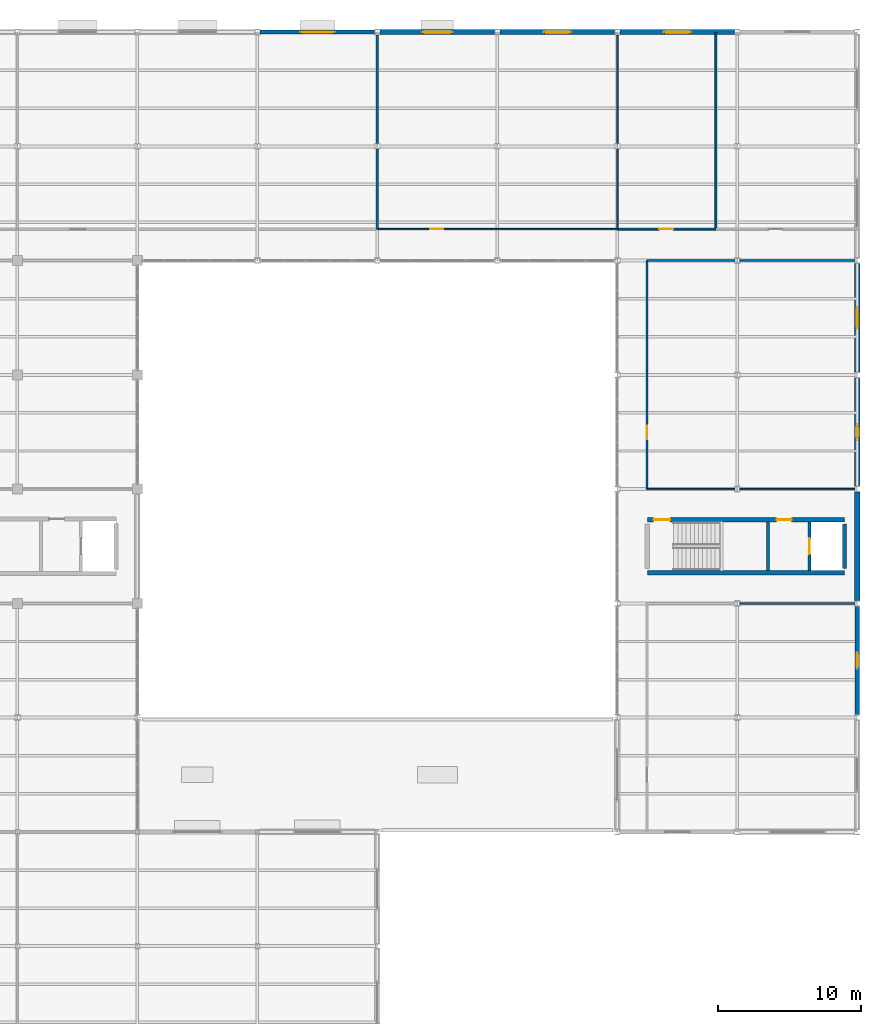
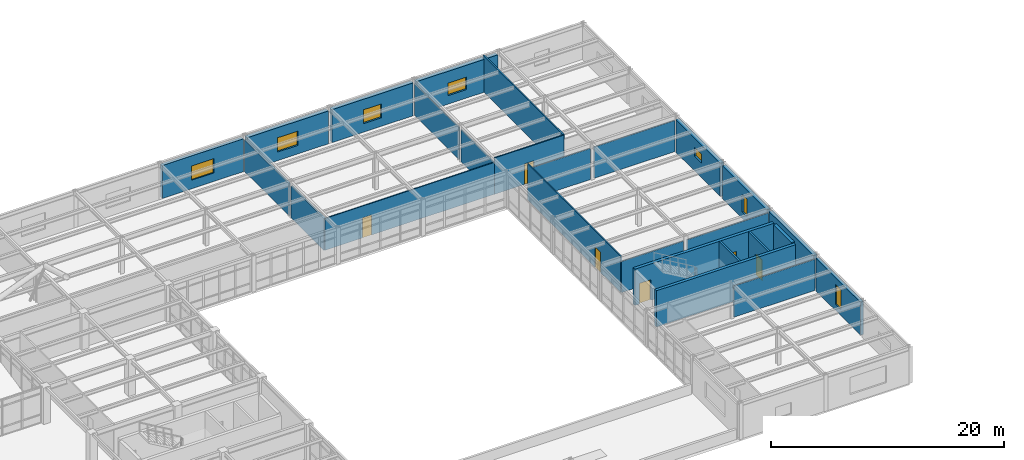
# One storey, part 78 of 138: 26 walls, 7 windows, 6 doors, 13 openings.
"""IFC4 building model written with IfcOpenShell, lengths in metres."""

import ifcopenshell
import ifcopenshell.guid

model = None  # the IFC model being written
_history = None  # IfcOwnerHistory: only IFC2X3 demands one
_inside = {}  # id of a spatial element -> (the spatial element, [elements in it])
_under = {}  # id of a project, library or spatial element -> (it, [spatial elements below it])
_declared = {}  # id of a project -> (the project, [libraries it declares])
_typed = {}  # id of a type object -> (the type object, [elements of that type])
_made_of = {}  # id of a material, layer set ... -> (it, [elements and type objects made of it])


def new_model(schema):
    """Start an empty IFC model of exactly this schema.

    Asked for "IFC4X3", IfcOpenShell would pick the latest addendum, in which some entities
    have other attributes; the version numbers below select the first issue.
    IFC2X3 requires an IfcOwnerHistory on every rooted entity: one is made here for all.
    """
    global model, _history
    if schema == "IFC4X3":
        model = ifcopenshell.file(schema_version=(4, 3, 0, 0))
    else:
        model = ifcopenshell.file(schema=schema)
    _inside.clear()
    _under.clear()
    _declared.clear()
    _typed.clear()
    _made_of.clear()
    _history = None
    if model.schema == "IFC2X3":
        org = make("IfcOrganization", Name="unknown")
        user = make(
            "IfcPersonAndOrganization",
            ThePerson=make("IfcPerson", FamilyName="unknown"),
            TheOrganization=org,
        )
        app = make(
            "IfcApplication",
            ApplicationDeveloper=org,
            Version="unknown",
            ApplicationFullName="unknown",
            ApplicationIdentifier="unknown",
        )
        _history = make(
            "IfcOwnerHistory",
            OwningUser=user,
            OwningApplication=app,
            ChangeAction="ADDED",
            CreationDate=0,
        )
    return model


def make(cls, **values):
    """One entity of the class cls with the attributes given. An attribute that is None is left unset."""
    return model.create_entity(
        cls, **{name: value for name, value in values.items() if value is not None}
    )


def rooted(cls, **values):
    """An entity with a GlobalId (a new one), such as an element, a storey or a relation."""
    return make(cls, GlobalId=ifcopenshell.guid.new(), OwnerHistory=_history, **values)


def si_unit(unit_type, name, prefix=None):
    """IfcSIUnit, for example si_unit("LENGTHUNIT", "METRE", prefix="MILLI")."""
    return make("IfcSIUnit", UnitType=unit_type, Prefix=prefix, Name=name)


def assignment(units):
    """IfcUnitAssignment: the units of a project."""
    return None if units is None else make("IfcUnitAssignment", Units=units)


def point(xyz):
    """IfcCartesianPoint."""
    return None if xyz is None else make("IfcCartesianPoint", Coordinates=xyz)


def direction(xyz):
    """IfcDirection."""
    return None if xyz is None else make("IfcDirection", DirectionRatios=xyz)


def frame(location, z_axis=None, x_axis=None):
    """IfcAxis2Placement3D, a coordinate frame: its origin and axes. An axis left out is left unset."""
    return make(
        "IfcAxis2Placement3D",
        Location=point(location),
        Axis=direction(z_axis),
        RefDirection=direction(x_axis),
    )


def frame_2d(location, x_axis=None):
    """IfcAxis2Placement2D, a coordinate frame in the plane: its origin and x axis."""
    return make(
        "IfcAxis2Placement2D", Location=point(location), RefDirection=direction(x_axis)
    )


def origin():
    """The frame at (0, 0, 0) with its axes left unset."""
    return frame((0.0, 0.0, 0.0))


def place(relative_to, where):
    """IfcLocalPlacement: puts the frame where relative to a parent placement (None: the world)."""
    return make(
        "IfcLocalPlacement", PlacementRelTo=relative_to, RelativePlacement=where
    )


def context(
    kind, dimensions, precision=None, world=None, true_north=None, identifier=None
):
    """IfcGeometricRepresentationContext, for example the 3D "Model" context."""
    return make(
        "IfcGeometricRepresentationContext",
        ContextIdentifier=identifier,
        ContextType=kind,
        CoordinateSpaceDimension=dimensions,
        Precision=precision,
        WorldCoordinateSystem=world,
        TrueNorth=true_north,
    )


def subcontext(parent, identifier, kind, view, scale=None):
    """IfcGeometricRepresentationSubContext, for example "Body" below "Model"."""
    return make(
        "IfcGeometricRepresentationSubContext",
        ContextIdentifier=identifier,
        ContextType=kind,
        ParentContext=parent,
        TargetScale=scale,
        TargetView=view,
    )


def project(units=None, contexts=None):
    """IfcProject with its units and contexts."""
    return rooted(
        "IfcProject",
        Name="project",
        RepresentationContexts=contexts,
        UnitsInContext=assignment(units),
    )


def spatial(cls, under=None, at=None, **own):
    """A site, building, storey or space (cls), placed at a placement, below another one or the project."""
    s = rooted(cls, ObjectPlacement=at, **own)
    if under is not None:
        _under.setdefault(under.id(), (under, []))[1].append(s)
    return s


def profile(cls, at=None, kind="AREA", **sizes):
    """A parametric profile (cls). Its sizes go by their IFC names, for example OverallWidth=200.0."""
    return make(cls, ProfileType=kind, Position=at, **sizes)


def rectangle(**sizes):
    """IfcRectangleProfileDef."""
    return profile("IfcRectangleProfileDef", **sizes)


def extrude(swept, where, along, depth):
    """IfcExtrudedAreaSolid: the profile swept, set in the frame where, extruded along a direction by depth."""
    return make(
        "IfcExtrudedAreaSolid",
        SweptArea=swept,
        Position=where,
        ExtrudedDirection=direction(along),
        Depth=depth,
    )


def shape(context_of_items, identifier, shape_type, items):
    """IfcShapeRepresentation: the items that make up one representation, for example the "Body"."""
    return make(
        "IfcShapeRepresentation",
        ContextOfItems=context_of_items,
        RepresentationIdentifier=identifier,
        RepresentationType=shape_type,
        Items=items,
    )


def material(Name=None, Category=None):
    """IfcMaterial."""
    return make("IfcMaterial", Name=Name, Category=Category)


def layer(
    of_material, thickness, ventilated=None, Name=None, Category=None, Priority=None
):
    """IfcMaterialLayer: one layer of a wall or slab, of a material (None: an air gap)."""
    return make(
        "IfcMaterialLayer",
        Material=of_material,
        LayerThickness=thickness,
        IsVentilated=ventilated,
        Name=Name,
        Category=Category,
        Priority=Priority,
    )


def layer_set(layers, Name=None):
    """IfcMaterialLayerSet."""
    return make("IfcMaterialLayerSet", MaterialLayers=layers, LayerSetName=Name)


def made_of(thing, what):
    """Note that an element or type object is made of a material, layer set ...; save() writes the relation."""
    if what is not None:
        _made_of.setdefault(what.id(), (what, []))[1].append(thing)
    return thing


def type_object(cls, material=None, **own):
    """A type object (cls), such as IfcWallType, which elements share."""
    return made_of(rooted(cls, **own), material)


def element(
    cls,
    number,
    at=None,
    inside=None,
    cuts=None,
    type_object=None,
    material=None,
    context=None,
    identifier="Body",
    shape_type=None,
    held_by="IfcProductDefinitionShape",
    body=None,
    shapes=None,
    **own,
):
    """One element of the class cls, such as IfcWall. Its Tag is "e" and its number.

    at: its placement. inside: the storey or other place that contains it. cuts: it is an
    opening in that element (IfcRelVoidsElement). A single representation is given by context,
    identifier, shape_type and body (its items); several are given by shapes. held_by: the class
    of the entity that holds the representations. save() writes the other relations.
    """
    e = rooted(cls, Tag="e%d" % number, ObjectPlacement=at, **own)
    if body is not None:
        shapes = [shape(context, identifier, shape_type, body)]
    if shapes is not None:
        e.Representation = make(held_by, Representations=shapes)
    if inside is not None:
        _inside.setdefault(inside.id(), (inside, []))[1].append(e)
    if cuts is not None:
        rooted(
            "IfcRelVoidsElement", RelatingBuildingElement=cuts, RelatedOpeningElement=e
        )
    if type_object is not None:
        _typed.setdefault(type_object.id(), (type_object, []))[1].append(e)
    return made_of(e, material)


def fill(opening, filler):
    """IfcRelFillsElement: the door or window that sits in an opening."""
    return rooted(
        "IfcRelFillsElement",
        RelatingOpeningElement=opening,
        RelatedBuildingElement=filler,
    )


def aggregate(whole, parts):
    """IfcRelAggregates: a whole, such as a stair, and the parts it consists of."""
    return rooted("IfcRelAggregates", RelatingObject=whole, RelatedObjects=parts)


def save(model, path):
    """Write the relations noted so far, then the file.

    IfcRelAggregates (storeys below a building ...), IfcRelContainedInSpatialStructure (elements
    in a storey), IfcRelDefinesByType, IfcRelAssociatesMaterial and IfcRelDeclares: one each for
    every whole, place, type object, material and project.
    """
    for whole, parts in _under.values():
        aggregate(whole, parts)
    for where, things in _inside.values():
        rooted(
            "IfcRelContainedInSpatialStructure",
            RelatedElements=things,
            RelatingStructure=where,
        )
    for kind, things in _typed.values():
        rooted("IfcRelDefinesByType", RelatedObjects=things, RelatingType=kind)
    for what, things in _made_of.values():
        rooted("IfcRelAssociatesMaterial", RelatedObjects=things, RelatingMaterial=what)
    for by, libraries in _declared.values():
        rooted("IfcRelDeclares", RelatingContext=by, RelatedDefinitions=libraries)
    model.write(path)


model = new_model("IFC4")

# Units and contexts
model_context = context("Model", 3, precision=1e-05, world=origin(), true_north=direction((0.0, 1.0)))
body_context = subcontext(model_context, "Body", "Model", "MODEL_VIEW")
ifc_project = project(units=[si_unit("LENGTHUNIT", "METRE"), si_unit("AREAUNIT", "SQUARE_METRE"), si_unit("VOLUMEUNIT", "CUBIC_METRE"), si_unit("PLANEANGLEUNIT", "RADIAN"), si_unit("MASSUNIT", "GRAM", prefix="KILO")], contexts=[model_context])

# Site, building, storey
site_placement = place(None, origin())
site = spatial("IfcSite", under=ifc_project, at=site_placement, CompositionType="ELEMENT")
building_placement = place(site_placement, origin())
building = spatial("IfcBuilding", under=site, at=building_placement, Name="Kranzveld Transit Interchange", CompositionType="ELEMENT")
storey_placement = place(building_placement, frame((0.0, 0.0, 5.43994140625)))
storey = spatial("IfcBuildingStorey", under=building, at=storey_placement, Name="L01", CompositionType="ELEMENT", Elevation=5.43994140625)

# Walls
ifc_material_1 = material(Name="Clay masonry unit wall, 20 MPa", Category="masonry")
ifc_layer_1 = layer(ifc_material_1, 0.1650390625)
ifc_layer_set_1 = layer_set([ifc_layer_1], Name="Clay masonry unit wall, 20 MPa")
wall_type_1 = type_object("IfcWallType", Name="Acoustic Double-Stud Partition 165", PredefinedType="PARTITIONING", material=ifc_layer_set_1)
wall_1_placement = place(storey_placement, frame((134.39990234375, 98.199951171875, 0.0), z_axis=(0.0, 0.0, 1.0), x_axis=(0.0, 1.0, 0.0)))
element("IfcWall", 1, at=wall_1_placement, inside=storey, type_object=wall_type_1, Name="L01 Partition IW-L01-L01V4N-E-121-0", PredefinedType="PARTITIONING", context=body_context, shape_type="SweptSolid", body=[
    extrude(rectangle(XDim=5.622802734375, YDim=0.1650390625, at=frame_2d((2.8115234375, 0.0))), origin(), (0.0, 0.0, 1.0), 3.336669921875),
])
wall_2_placement = place(storey_placement, frame((134.39990234375, 104.17724609375, 0.0), z_axis=(0.0, 0.0, 1.0), x_axis=(0.0, 1.0, 0.0)))
element("IfcWall", 2, at=wall_2_placement, inside=storey, type_object=wall_type_1, Name="L01 Partition IW-L01-L01V4N-E-121-1", PredefinedType="PARTITIONING", context=body_context, shape_type="SweptSolid", body=[
    extrude(rectangle(XDim=7.6455078125, YDim=0.1650390625, at=frame_2d((3.82275390625, 0.0))), origin(), (0.0, 0.0, 1.0), 3.336669921875),
])
ifc_material_2 = material(Name="Concrete C40/50", Category="concrete")
ifc_layer_2 = layer(ifc_material_2, 0.300048828125)
ifc_layer_set_2 = layer_set([ifc_layer_2], Name="Concrete C40/50")
wall_type_2 = type_object("IfcWallType", Name="Core Shear Wall RC 300 C40/50", PredefinedType="SHEAR", material=ifc_layer_set_2)
wall_3_placement = place(storey_placement, frame((153.300048828125, 74.139892578125, 0.0), z_axis=(0.0, 0.0, 1.0), x_axis=(1.0, 0.0, 0.0)))
element("IfcWall", 3, at=wall_3_placement, inside=storey, type_object=wall_type_2, Name="L01 Community East Core C4 Shear Wall S", PredefinedType="SHEAR", context=body_context, shape_type="SweptSolid", body=[
    extrude(rectangle(XDim=13.800048828125, YDim=0.300048828125, at=frame_2d((6.89990234375, 0.0))), origin(), (0.0, 0.0, 1.0), 3.800048828125),
])

# Wall, openings, doors
wall_4_placement = place(storey_placement, frame((153.300048828125, 77.860107421875, 0.0), z_axis=(0.0, 0.0, 1.0), x_axis=(1.0, 0.0, 0.0)))
wall_4 = element("IfcWall", 4, at=wall_4_placement, inside=storey, type_object=wall_type_2, Name="L01 Community East Core C4 Shear Wall N", PredefinedType="SHEAR", context=body_context, shape_type="SweptSolid", body=[
    extrude(rectangle(XDim=13.800048828125, YDim=0.300048828125, at=frame_2d((6.89990234375, 0.0))), origin(), (0.0, 0.0, 1.0), 3.800048828125),
])
opening_1_placement = place(wall_4_placement, frame((0.449951171875, 0.0, 0.0), z_axis=(0.0, 0.0, 1.0), x_axis=(1.0, 0.0, 0.0)))
opening_1 = element("IfcOpeningElement", 5, at=opening_1_placement, cuts=wall_4, Name="Opening D-ST-C4-L01", PredefinedType="OPENING", context=body_context, shape_type="SweptSolid", body=[
    extrude(rectangle(XDim=1.14990234375, YDim=2.14990234375, at=frame_2d((0.574951171875, 1.074951171875))), frame((0.0, 0.159912109375, 0.0), z_axis=(0.0, -1.0, 0.0), x_axis=(1.0, 0.0, 0.0)), (0.0, 0.0, 1.0), 0.320068359375),
])
opening_2_placement = place(wall_4_placement, frame((9.050048828125, 0.0, 0.0), z_axis=(0.0, 0.0, 1.0), x_axis=(1.0, 0.0, 0.0)))
opening_2 = element("IfcOpeningElement", 6, at=opening_2_placement, cuts=wall_4, Name="Opening D-LB-C4-L01", PredefinedType="OPENING", context=body_context, shape_type="SweptSolid", body=[
    extrude(rectangle(XDim=1.050048828125, YDim=2.14990234375, at=frame_2d((0.52490234375, 1.074951171875))), frame((0.0, 0.159912109375, 0.0), z_axis=(0.0, -1.0, 0.0), x_axis=(1.0, 0.0, 0.0)), (0.0, 0.0, 1.0), 0.320068359375),
])
ifc_material_3 = material(Name="Steel S355JR", Category="steel")
door_type_1 = type_object("IfcDoorType", Name="Lift Lobby Fire Door 1050x2150 FD120S", OperationType="NOTDEFINED", PredefinedType="DOOR", material=ifc_material_3)
door_1_placement = place(opening_2_placement, origin())
door_1 = element("IfcDoor", 7, at=door_1_placement, inside=storey, type_object=door_type_1, Name="L01 Community East Core C4 Lift Protected Lobby Door", OperationType="SINGLE_SWING_RIGHT", OverallHeight=2.14990234375, OverallWidth=1.050048828125, PredefinedType="DOOR", context=body_context, shape_type="SweptSolid", body=[
    extrude(rectangle(XDim=1.050048828125, YDim=2.14990234375, at=frame_2d((0.52490234375, 1.074951171875))), frame((0.0, 0.02490234375, 0.0), z_axis=(0.0, -1.0, 0.0), x_axis=(1.0, 0.0, 0.0)), (0.0, 0.0, 1.0), 0.050048828125),
])
fill(opening_2, door_1)
ifc_material_4 = material(Name="Steel S355JR", Category="steel")
door_type_2 = type_object("IfcDoorType", Name="Stair Core Fire Door 1150x2150 FD120S", OperationType="NOTDEFINED", PredefinedType="DOOR", material=ifc_material_4)
door_2_placement = place(opening_1_placement, origin())
door_2 = element("IfcDoor", 8, at=door_2_placement, inside=storey, type_object=door_type_2, Name="L01 ST-V4B Protected Stair Door", OperationType="SINGLE_SWING_RIGHT", OverallHeight=2.14990234375, OverallWidth=1.14990234375, PredefinedType="DOOR", context=body_context, shape_type="SweptSolid", body=[
    extrude(rectangle(XDim=1.14990234375, YDim=2.14990234375, at=frame_2d((0.574951171875, 1.074951171875))), frame((0.0, 0.02490234375, 0.0), z_axis=(0.0, -1.0, 0.0), x_axis=(1.0, 0.0, 0.0)), (0.0, 0.0, 1.0), 0.050048828125),
])
fill(opening_1, door_2)

# Wall
wall_5_placement = place(storey_placement, frame((167.10009765625, 74.43994140625, 0.0), z_axis=(0.0, 0.0, 1.0), x_axis=(0.0, 1.0, 0.0)))
element("IfcWall", 9, at=wall_5_placement, inside=storey, type_object=wall_type_2, Name="L01 Community East Core C4 Shear Wall E", PredefinedType="SHEAR", context=body_context, shape_type="SweptSolid", body=[
    extrude(rectangle(XDim=3.1201171875, YDim=0.300048828125, at=frame_2d((1.56005859375, 0.0))), origin(), (0.0, 0.0, 1.0), 3.800048828125),
])

# Wall, opening, window
ifc_material_5 = material(Name="Pretoria red-purple clinker clay face brick, 35 MPa", Category="masonry")
ifc_layer_3 = layer(ifc_material_5, 0.3798828125)
ifc_layer_set_3 = layer_set([ifc_layer_3], Name="Pretoria red-purple clinker clay face brick, 35 MPa")
wall_type_3 = type_object("IfcWallType", Name="Exterior Cavity Wall Red Clinker 380", PredefinedType="SOLIDWALL", material=ifc_layer_set_3)
wall_6_placement = place(storey_placement, frame((134.58740234375, 112.0, 0.0), z_axis=(0.0, 0.0, 1.0), x_axis=(1.0, 0.0, 0.0)))
wall_6 = element("IfcWall", 10, at=wall_6_placement, inside=storey, type_object=wall_type_3, Name="L01 Clinker Facade Wall 17/Q-18/Q", PredefinedType="SOLIDWALL", context=body_context, shape_type="SweptSolid", body=[
    extrude(rectangle(XDim=8.025390625, YDim=0.3798828125, at=frame_2d((4.0126953125, 0.0))), origin(), (0.0, 0.0, 1.0), 3.449951171875),
])
opening_3_placement = place(wall_6_placement, frame((3.0126953125, 0.0, 0.89990234375), z_axis=(0.0, 0.0, 1.0), x_axis=(1.0, 0.0, 0.0)))
opening_3 = element("IfcOpeningElement", 11, at=opening_3_placement, cuts=wall_6, Name="Opening W-10", PredefinedType="OPENING", context=body_context, shape_type="SweptSolid", body=[
    extrude(rectangle(XDim=2.0, YDim=1.5, at=frame_2d((1.0, 0.75))), frame((0.0, 0.199951171875, 0.0), z_axis=(0.0, -1.0, 0.0), x_axis=(1.0, 0.0, 0.0)), (0.0, 0.0, 1.0), 0.39990234375),
])
ifc_material_6 = material(Name="Solar-control double glazing", Category="glass")
window_type_1 = type_object("IfcWindowType", Name="Window Office Double 2000x1500", PartitioningType="DOUBLE_PANEL_VERTICAL", PredefinedType="WINDOW", material=ifc_material_6)
window_1_placement = place(opening_3_placement, origin())
window_1 = element("IfcWindow", 12, at=window_1_placement, inside=storey, type_object=window_type_1, Name="L01 Facade Window 17/Q", OverallHeight=1.5, OverallWidth=2.0, PartitioningType="DOUBLE_PANEL_VERTICAL", PredefinedType="WINDOW", context=body_context, shape_type="SweptSolid", body=[
    extrude(rectangle(XDim=2.0, YDim=1.5, at=frame_2d((1.0, 0.75))), frame((0.0, 0.030029296875, 0.0), z_axis=(0.0, -1.0, 0.0), x_axis=(1.0, 0.0, 0.0)), (0.0, 0.0, 1.0), 0.06005859375),
])
fill(opening_3, window_1)

wall_7_placement = place(storey_placement, frame((142.9873046875, 112.0, 0.0), z_axis=(0.0, 0.0, 1.0), x_axis=(1.0, 0.0, 0.0)))
wall_7 = element("IfcWall", 13, at=wall_7_placement, inside=storey, type_object=wall_type_3, Name="L01 Clinker Facade Wall 18/Q-19/Q", PredefinedType="SOLIDWALL", context=body_context, shape_type="SweptSolid", body=[
    extrude(rectangle(XDim=8.025390625, YDim=0.3798828125, at=frame_2d((4.0126953125, 0.0))), origin(), (0.0, 0.0, 1.0), 3.449951171875),
])
opening_4_placement = place(wall_7_placement, frame((3.11279296875, 0.0, 0.89990234375), z_axis=(0.0, 0.0, 1.0), x_axis=(1.0, 0.0, 0.0)))
opening_4 = element("IfcOpeningElement", 14, at=opening_4_placement, cuts=wall_7, Name="Opening W-11", PredefinedType="OPENING", context=body_context, shape_type="SweptSolid", body=[
    extrude(rectangle(XDim=1.800048828125, YDim=1.449951171875, at=frame_2d((0.89990234375, 0.72509765625))), frame((0.0, 0.199951171875, 0.0), z_axis=(0.0, -1.0, 0.0), x_axis=(1.0, 0.0, 0.0)), (0.0, 0.0, 1.0), 0.39990234375),
])
ifc_material_7 = material(Name="Solar-control double glazing", Category="glass")
window_type_2 = type_object("IfcWindowType", Name="Window Office Double 1800x1450", PartitioningType="DOUBLE_PANEL_VERTICAL", PredefinedType="WINDOW", material=ifc_material_7)
window_2_placement = place(opening_4_placement, origin())
window_2 = element("IfcWindow", 15, at=window_2_placement, inside=storey, type_object=window_type_2, Name="L01 Facade Window 18/Q", OverallHeight=1.449951171875, OverallWidth=1.800048828125, PartitioningType="DOUBLE_PANEL_VERTICAL", PredefinedType="WINDOW", context=body_context, shape_type="SweptSolid", body=[
    extrude(rectangle(XDim=1.800048828125, YDim=1.449951171875, at=frame_2d((0.89990234375, 0.72509765625))), frame((0.0, 0.030029296875, 0.0), z_axis=(0.0, -1.0, 0.0), x_axis=(1.0, 0.0, 0.0)), (0.0, 0.0, 1.0), 0.06005859375),
])
fill(opening_4, window_2)

wall_8_placement = place(storey_placement, frame((151.38720703125, 112.0, 0.0), z_axis=(0.0, 0.0, 1.0), x_axis=(1.0, 0.0, 0.0)))
wall_8 = element("IfcWall", 16, at=wall_8_placement, inside=storey, type_object=wall_type_3, Name="L01 Clinker Facade Wall 19/Q-20/Q", PredefinedType="SOLIDWALL", context=body_context, shape_type="SweptSolid", body=[
    extrude(rectangle(XDim=8.025390625, YDim=0.3798828125, at=frame_2d((4.0126953125, 0.0))), origin(), (0.0, 0.0, 1.0), 3.449951171875),
])
opening_5_placement = place(wall_8_placement, frame((3.11279296875, 0.0, 0.89990234375), z_axis=(0.0, 0.0, 1.0), x_axis=(1.0, 0.0, 0.0)))
opening_5 = element("IfcOpeningElement", 17, at=opening_5_placement, cuts=wall_8, Name="Opening W-12", PredefinedType="OPENING", context=body_context, shape_type="SweptSolid", body=[
    extrude(rectangle(XDim=1.800048828125, YDim=1.300048828125, at=frame_2d((0.89990234375, 0.64990234375))), frame((0.0, 0.199951171875, 0.0), z_axis=(0.0, -1.0, 0.0), x_axis=(1.0, 0.0, 0.0)), (0.0, 0.0, 1.0), 0.39990234375),
])
ifc_material_8 = material(Name="Solar-control double glazing", Category="glass")
window_type_3 = type_object("IfcWindowType", Name="Window Studio Double 1800x1300", PartitioningType="DOUBLE_PANEL_VERTICAL", PredefinedType="WINDOW", material=ifc_material_8)
window_3_placement = place(opening_5_placement, origin())
window_3 = element("IfcWindow", 18, at=window_3_placement, inside=storey, type_object=window_type_3, Name="L01 Facade Window 19/Q", OverallHeight=1.300048828125, OverallWidth=1.800048828125, PartitioningType="DOUBLE_PANEL_VERTICAL", PredefinedType="WINDOW", context=body_context, shape_type="SweptSolid", body=[
    extrude(rectangle(XDim=1.800048828125, YDim=1.300048828125, at=frame_2d((0.89990234375, 0.64990234375))), frame((0.0, 0.030029296875, 0.0), z_axis=(0.0, -1.0, 0.0), x_axis=(1.0, 0.0, 0.0)), (0.0, 0.0, 1.0), 0.06005859375),
])
fill(opening_5, window_3)

# Wall
wall_9_placement = place(storey_placement, frame((168.0, 72.187255859375, 0.0), z_axis=(0.0, 0.0, 1.0), x_axis=(0.0, 1.0, 0.0)))
element("IfcWall", 19, at=wall_9_placement, inside=storey, type_object=wall_type_3, Name="L01 Clinker Facade Wall 21/K-21/L", PredefinedType="SOLIDWALL", context=body_context, shape_type="SweptSolid", body=[
    extrude(rectangle(XDim=7.62548828125, YDim=0.3798828125, at=frame_2d((3.812744140625, 0.0))), origin(), (0.0, 0.0, 1.0), 3.5),
])

# Wall, opening, window
wall_10_placement = place(storey_placement, frame((168.0, 80.187255859375, 0.0), z_axis=(0.0, 0.0, 1.0), x_axis=(0.0, 1.0, 0.0)))
wall_10 = element("IfcWall", 20, at=wall_10_placement, inside=storey, type_object=wall_type_3, Name="L01 Clinker Facade Wall 21/L-21/M", PredefinedType="SOLIDWALL", context=body_context, shape_type="SweptSolid", body=[
    extrude(rectangle(XDim=7.62548828125, YDim=0.3798828125, at=frame_2d((3.812744140625, 0.0))), origin(), (0.0, 0.0, 1.0), 3.442138671875),
])
opening_6_placement = place(wall_10_placement, frame((3.41259765625, 0.0, 0.64990234375), z_axis=(0.0, 0.0, 1.0), x_axis=(1.0, 0.0, 0.0)))
opening_6 = element("IfcOpeningElement", 21, at=opening_6_placement, cuts=wall_10, Name="Opening W-18", PredefinedType="OPENING", context=body_context, shape_type="SweptSolid", body=[
    extrude(rectangle(XDim=0.800048828125, YDim=1.85009765625, at=frame_2d((0.39990234375, 0.925048828125))), frame((0.0, 0.199951171875, 0.0), z_axis=(0.0, -1.0, 0.0), x_axis=(1.0, 0.0, 0.0)), (0.0, 0.0, 1.0), 0.39990234375),
])
ifc_material_9 = material(Name="Solar-control double glazing", Category="glass")
window_type_4 = type_object("IfcWindowType", Name="Window Ladder Slot 800x1850", PartitioningType="SINGLE_PANEL", PredefinedType="WINDOW", material=ifc_material_9)
window_4_placement = place(opening_6_placement, origin())
window_4 = element("IfcWindow", 22, at=window_4_placement, inside=storey, type_object=window_type_4, Name="L01 Facade Window 21/L", OverallHeight=1.85009765625, OverallWidth=0.800048828125, PartitioningType="SINGLE_PANEL", PredefinedType="WINDOW", context=body_context, shape_type="SweptSolid", body=[
    extrude(rectangle(XDim=0.800048828125, YDim=1.85009765625, at=frame_2d((0.39990234375, 0.925048828125))), frame((0.0, 0.030029296875, 0.0), z_axis=(0.0, -1.0, 0.0), x_axis=(1.0, 0.0, 0.0)), (0.0, 0.0, 1.0), 0.06005859375),
])
fill(opening_6, window_4)

wall_11_placement = place(storey_placement, frame((168.0, 88.187255859375, 0.0), z_axis=(0.0, 0.0, 1.0), x_axis=(0.0, 1.0, 0.0)))
wall_11 = element("IfcWall", 23, at=wall_11_placement, inside=storey, type_object=wall_type_3, Name="L01 Clinker Facade Wall 21/M-21/N", PredefinedType="SOLIDWALL", context=body_context, shape_type="SweptSolid", body=[
    extrude(rectangle(XDim=7.62548828125, YDim=0.3798828125, at=frame_2d((3.812744140625, 0.0))), origin(), (0.0, 0.0, 1.0), 3.442138671875),
])
opening_7_placement = place(wall_11_placement, frame((3.212646484375, 0.0, 1.550048828125), z_axis=(0.0, 0.0, 1.0), x_axis=(1.0, 0.0, 0.0)))
opening_7 = element("IfcOpeningElement", 24, at=opening_7_placement, cuts=wall_11, Name="Opening W-19", PredefinedType="OPENING", context=body_context, shape_type="SweptSolid", body=[
    extrude(rectangle(XDim=1.199951171875, YDim=0.949951171875, at=frame_2d((0.60009765625, 0.47509765625))), frame((0.0, 0.199951171875, 0.0), z_axis=(0.0, -1.0, 0.0), x_axis=(1.0, 0.0, 0.0)), (0.0, 0.0, 1.0), 0.39990234375),
])
ifc_material_10 = material(Name="Solar-control double glazing", Category="glass")
window_type_5 = type_object("IfcWindowType", Name="Window Sanitary Frosted 1200x950", PartitioningType="SINGLE_PANEL", PredefinedType="WINDOW", material=ifc_material_10)
window_5_placement = place(opening_7_placement, origin())
window_5 = element("IfcWindow", 25, at=window_5_placement, inside=storey, type_object=window_type_5, Name="L01 Facade Window 21/M", OverallHeight=0.949951171875, OverallWidth=1.199951171875, PartitioningType="SINGLE_PANEL", PredefinedType="WINDOW", context=body_context, shape_type="SweptSolid", body=[
    extrude(rectangle(XDim=1.199951171875, YDim=0.949951171875, at=frame_2d((0.60009765625, 0.47509765625))), frame((0.0, 0.030029296875, 0.0), z_axis=(0.0, -1.0, 0.0), x_axis=(1.0, 0.0, 0.0)), (0.0, 0.0, 1.0), 0.06005859375),
])
fill(opening_7, window_5)

ifc_material_11 = material(Name="Ochre Pretoria sandstone cladding, 45 MPa", Category="masonry")
ifc_layer_4 = layer(ifc_material_11, 0.300048828125)
ifc_layer_set_4 = layer_set([ifc_layer_4], Name="Ochre Pretoria sandstone cladding, 45 MPa")
wall_type_4 = type_object("IfcWallType", Name="Exterior Sandstone Spandrel Wall 300", PredefinedType="SOLIDWALL", material=ifc_layer_set_4)
wall_12_placement = place(storey_placement, frame((126.187255859375, 112.0, 0.0), z_axis=(0.0, 0.0, 1.0), x_axis=(1.0, 0.0, 0.0)))
wall_12 = element("IfcWall", 26, at=wall_12_placement, inside=storey, type_object=wall_type_4, Name="L01 Clinker Facade Wall 16/Q-17/Q", PredefinedType="SOLIDWALL", context=body_context, shape_type="SweptSolid", body=[
    extrude(rectangle(XDim=8.025390625, YDim=0.300048828125, at=frame_2d((4.0126953125, 0.0))), origin(), (0.0, 0.0, 1.0), 3.449951171875),
])
opening_8_placement = place(wall_12_placement, frame((2.91259765625, 0.0, 0.89990234375), z_axis=(0.0, 0.0, 1.0), x_axis=(1.0, 0.0, 0.0)))
opening_8 = element("IfcOpeningElement", 27, at=opening_8_placement, cuts=wall_12, Name="Opening W-09", PredefinedType="OPENING", context=body_context, shape_type="SweptSolid", body=[
    extrude(rectangle(XDim=2.199951171875, YDim=1.5, at=frame_2d((1.10009765625, 0.75))), frame((0.0, 0.159912109375, 0.0), z_axis=(0.0, -1.0, 0.0), x_axis=(1.0, 0.0, 0.0)), (0.0, 0.0, 1.0), 0.320068359375),
])
ifc_material_12 = material(Name="Solar-control double glazing", Category="glass")
window_type_6 = type_object("IfcWindowType", Name="Window Office Double 2200x1500", PartitioningType="DOUBLE_PANEL_VERTICAL", PredefinedType="WINDOW", material=ifc_material_12)
window_6_placement = place(opening_8_placement, origin())
window_6 = element("IfcWindow", 28, at=window_6_placement, inside=storey, type_object=window_type_6, Name="L01 Facade Window 16/Q", OverallHeight=1.5, OverallWidth=2.199951171875, PartitioningType="DOUBLE_PANEL_VERTICAL", PredefinedType="WINDOW", context=body_context, shape_type="SweptSolid", body=[
    extrude(rectangle(XDim=2.199951171875, YDim=1.5, at=frame_2d((1.10009765625, 0.75))), frame((0.0, 0.030029296875, 0.0), z_axis=(0.0, -1.0, 0.0), x_axis=(1.0, 0.0, 0.0)), (0.0, 0.0, 1.0), 0.06005859375),
])
fill(opening_8, window_6)

wall_13_placement = place(storey_placement, frame((168.0, 64.187255859375, 0.0), z_axis=(0.0, 0.0, 1.0), x_axis=(0.0, 1.0, 0.0)))
wall_13 = element("IfcWall", 29, at=wall_13_placement, inside=storey, type_object=wall_type_4, Name="L01 Clinker Facade Wall 21/J-21/K", PredefinedType="SOLIDWALL", context=body_context, shape_type="SweptSolid", body=[
    extrude(rectangle(XDim=7.62548828125, YDim=0.300048828125, at=frame_2d((3.812744140625, 0.0))), origin(), (0.0, 0.0, 1.0), 3.442138671875),
])
opening_9_placement = place(wall_13_placement, frame((3.337646484375, 0.0, 0.64990234375), z_axis=(0.0, 0.0, 1.0), x_axis=(1.0, 0.0, 0.0)))
opening_9 = element("IfcOpeningElement", 30, at=opening_9_placement, cuts=wall_13, Name="Opening W-17", PredefinedType="OPENING", context=body_context, shape_type="SweptSolid", body=[
    extrude(rectangle(XDim=0.949951171875, YDim=2.10009765625, at=frame_2d((0.47509765625, 1.050048828125))), frame((0.0, 0.159912109375, 0.0), z_axis=(0.0, -1.0, 0.0), x_axis=(1.0, 0.0, 0.0)), (0.0, 0.0, 1.0), 0.320068359375),
])
ifc_material_13 = material(Name="Solar-control double glazing", Category="glass")
window_type_7 = type_object("IfcWindowType", Name="Window Ladder Slot 950x2100", PartitioningType="SINGLE_PANEL", PredefinedType="WINDOW", material=ifc_material_13)
window_7_placement = place(opening_9_placement, origin())
window_7 = element("IfcWindow", 31, at=window_7_placement, inside=storey, type_object=window_type_7, Name="L01 Facade Window 21/J", OverallHeight=2.10009765625, OverallWidth=0.949951171875, PartitioningType="SINGLE_PANEL", PredefinedType="WINDOW", context=body_context, shape_type="SweptSolid", body=[
    extrude(rectangle(XDim=0.949951171875, YDim=2.10009765625, at=frame_2d((0.47509765625, 1.050048828125))), frame((0.0, 0.030029296875, 0.0), z_axis=(0.0, -1.0, 0.0), x_axis=(1.0, 0.0, 0.0)), (0.0, 0.0, 1.0), 0.06005859375),
])
fill(opening_9, window_7)

# Wall, opening, door
ifc_material_14 = material(Name="Clay masonry unit wall, 20 MPa", Category="masonry")
ifc_layer_5 = layer(ifc_material_14, 0.125)
ifc_layer_set_5 = layer_set([ifc_layer_5], Name="Clay masonry unit wall, 20 MPa")
wall_type_5 = type_object("IfcWallType", Name="Internal Blockwork Partition 125", PredefinedType="PARTITIONING", material=ifc_layer_set_5)
wall_14_placement = place(storey_placement, frame((151.199951171875, 98.199951171875, 0.0), z_axis=(0.0, 0.0, 1.0), x_axis=(1.0, 0.0, 0.0)))
wall_14 = element("IfcWall", 32, at=wall_14_placement, inside=storey, type_object=wall_type_5, Name="L01 Partition IW-L01-L01V4NE-FRT-123-0", PredefinedType="PARTITIONING", context=body_context, shape_type="SweptSolid", body=[
    extrude(rectangle(XDim=6.900146484375, YDim=0.125, at=frame_2d((3.4501953125, 0.0))), origin(), (0.0, 0.0, 1.0), 3.800048828125),
])
opening_10_placement = place(wall_14_placement, frame((2.949951171875, 0.0, 0.0), z_axis=(0.0, 0.0, 1.0), x_axis=(1.0, 0.0, 0.0)))
opening_10 = element("IfcOpeningElement", 33, at=opening_10_placement, cuts=wall_14, Name="Opening D-123", PredefinedType="OPENING", context=body_context, shape_type="SweptSolid", body=[
    extrude(rectangle(XDim=0.949951171875, YDim=2.14990234375, at=frame_2d((0.47509765625, 1.074951171875))), frame((0.0, 0.072509765625, 0.0), z_axis=(0.0, -1.0, 0.0), x_axis=(1.0, 0.0, 0.0)), (0.0, 0.0, 1.0), 0.14501953125),
])
ifc_material_15 = material(Name="Bronze-anodised thermally broken aluminium", Category="aluminium")
door_type_3 = type_object("IfcDoorType", Name="Internal Office Door 950x2150", OperationType="NOTDEFINED", PredefinedType="DOOR", material=ifc_material_15)
door_3_placement = place(opening_10_placement, origin())
door_3 = element("IfcDoor", 34, at=door_3_placement, inside=storey, type_object=door_type_3, Name="L01 Interior Door D-123", OperationType="SINGLE_SWING_LEFT", OverallHeight=2.14990234375, OverallWidth=0.949951171875, PredefinedType="DOOR", context=body_context, shape_type="SweptSolid", body=[
    extrude(rectangle(XDim=0.949951171875, YDim=2.14990234375, at=frame_2d((0.47509765625, 1.074951171875))), frame((0.0, 0.02490234375, 0.0), z_axis=(0.0, -1.0, 0.0), x_axis=(1.0, 0.0, 0.0)), (0.0, 0.0, 1.0), 0.050048828125),
])
fill(opening_10, door_3)

# Walls
wall_15_placement = place(storey_placement, frame((158.10009765625, 98.199951171875, 0.0), z_axis=(0.0, 0.0, 1.0), x_axis=(0.0, 1.0, 0.0)))
element("IfcWall", 35, at=wall_15_placement, inside=storey, type_object=wall_type_5, Name="L01 Partition IW-L01-L01V4NE-MID-0", PredefinedType="PARTITIONING", context=body_context, shape_type="SweptSolid", body=[
    extrude(rectangle(XDim=13.760009765625, YDim=0.125, at=frame_2d((6.8798828125, 0.0))), origin(), (0.0, 0.0, 1.0), 3.800048828125),
])
wall_16_placement = place(storey_placement, frame((159.77734375, 72.0, 0.0), z_axis=(0.0, 0.0, 1.0), x_axis=(1.0, 0.0, 0.0)))
element("IfcWall", 36, at=wall_16_placement, inside=storey, type_object=wall_type_5, Name="L01 Partition IW-L01-L01V4E-N-133-1", PredefinedType="PARTITIONING", context=body_context, shape_type="SweptSolid", body=[
    extrude(rectangle(XDim=8.04541015625, YDim=0.125, at=frame_2d((4.022705078125, 0.0))), origin(), (0.0, 0.0, 1.0), 3.260498046875),
])

# Wall, opening, door
ifc_material_16 = material(Name="Clay masonry unit wall, 20 MPa", Category="masonry")
ifc_layer_6 = layer(ifc_material_16, 0.114990234375)
ifc_layer_set_6 = layer_set([ifc_layer_6], Name="Clay masonry unit wall, 20 MPa")
wall_type_6 = type_object("IfcWallType", Name="Internal Masonry Partition 115", PredefinedType="PARTITIONING", material=ifc_layer_set_6)
wall_17_placement = place(storey_placement, frame((153.280029296875, 80.0, 0.0), z_axis=(0.0, 0.0, 1.0), x_axis=(0.0, 1.0, 0.0)))
wall_17 = element("IfcWall", 37, at=wall_17_placement, inside=storey, type_object=wall_type_6, Name="L01 Partition IW-L01-L01V4E-FRT-134-0", PredefinedType="PARTITIONING", context=body_context, shape_type="SweptSolid", body=[
    extrude(rectangle(XDim=16.0, YDim=0.114990234375, at=frame_2d((8.0, 0.0))), origin(), (0.0, 0.0, 1.0), 3.800048828125),
])
opening_11_placement = place(wall_17_placement, frame((4.419921875, 0.0, 0.0), z_axis=(0.0, 0.0, 1.0), x_axis=(-1.0, 0.0, 0.0)))
opening_11 = element("IfcOpeningElement", 38, at=opening_11_placement, cuts=wall_17, Name="Opening D-134", PredefinedType="OPENING", context=body_context, shape_type="SweptSolid", body=[
    extrude(rectangle(XDim=0.919921875, YDim=2.1201171875, at=frame_2d((0.4599609375, 1.06005859375))), frame((0.0, 0.0673828125, 0.0), z_axis=(0.0, -1.0, 0.0), x_axis=(1.0, 0.0, 0.0)), (0.0, 0.0, 1.0), 0.135009765625),
])
ifc_material_17 = material(Name="Bronze-anodised thermally broken aluminium", Category="aluminium")
door_type_4 = type_object("IfcDoorType", Name="Consulting Room Door 920x2120", OperationType="NOTDEFINED", PredefinedType="DOOR", material=ifc_material_17)
door_4_placement = place(opening_11_placement, origin())
door_4 = element("IfcDoor", 39, at=door_4_placement, inside=storey, type_object=door_type_4, Name="L01 Interior Door D-134", OperationType="SINGLE_SWING_RIGHT", OverallHeight=2.1201171875, OverallWidth=0.919921875, PredefinedType="DOOR", context=body_context, shape_type="SweptSolid", body=[
    extrude(rectangle(XDim=0.919921875, YDim=2.1201171875, at=frame_2d((0.4599609375, 1.06005859375))), frame((0.0, 0.02490234375, 0.0), z_axis=(0.0, -1.0, 0.0), x_axis=(1.0, 0.0, 0.0)), (0.0, 0.0, 1.0), 0.050048828125),
])
fill(opening_11, door_4)

# Walls
wall_18_placement = place(storey_placement, frame((153.280029296875, 80.0, 0.0), z_axis=(0.0, 0.0, 1.0), x_axis=(1.0, 0.0, 0.0)))
element("IfcWall", 40, at=wall_18_placement, inside=storey, type_object=wall_type_6, Name="L01 Partition IW-L01-L01V4E-S-134-0", PredefinedType="PARTITIONING", context=body_context, shape_type="SweptSolid", body=[
    extrude(rectangle(XDim=6.142578125, YDim=0.114990234375, at=frame_2d((3.0712890625, 0.0))), origin(), (0.0, 0.0, 1.0), 3.260498046875),
])
wall_19_placement = place(storey_placement, frame((159.77734375, 80.0, 0.0), z_axis=(0.0, 0.0, 1.0), x_axis=(1.0, 0.0, 0.0)))
element("IfcWall", 41, at=wall_19_placement, inside=storey, type_object=wall_type_6, Name="L01 Partition IW-L01-L01V4E-S-134-1", PredefinedType="PARTITIONING", context=body_context, shape_type="SweptSolid", body=[
    extrude(rectangle(XDim=8.04541015625, YDim=0.114990234375, at=frame_2d((4.022705078125, 0.0))), origin(), (0.0, 0.0, 1.0), 3.260498046875),
])
wall_20_placement = place(storey_placement, frame((153.280029296875, 96.0, 0.0), z_axis=(0.0, 0.0, 1.0), x_axis=(1.0, 0.0, 0.0)))
element("IfcWall", 42, at=wall_20_placement, inside=storey, type_object=wall_type_6, Name="L01 Partition IW-L01-L01V4E-N-134-0", PredefinedType="PARTITIONING", context=body_context, shape_type="SweptSolid", body=[
    extrude(rectangle(XDim=6.142578125, YDim=0.114990234375, at=frame_2d((3.0712890625, 0.0))), origin(), (0.0, 0.0, 1.0), 3.260498046875),
])
wall_21_placement = place(storey_placement, frame((159.77734375, 96.0, 0.0), z_axis=(0.0, 0.0, 1.0), x_axis=(1.0, 0.0, 0.0)))
element("IfcWall", 43, at=wall_21_placement, inside=storey, type_object=wall_type_6, Name="L01 Partition IW-L01-L01V4E-N-134-1", PredefinedType="PARTITIONING", context=body_context, shape_type="SweptSolid", body=[
    extrude(rectangle(XDim=8.04541015625, YDim=0.114990234375, at=frame_2d((4.022705078125, 0.0))), origin(), (0.0, 0.0, 1.0), 3.260498046875),
])
ifc_material_18 = material(Name="Concrete C40/50", Category="concrete")
ifc_layer_7 = layer(ifc_material_18, 0.199951171875)
ifc_layer_set_7 = layer_set([ifc_layer_7], Name="Concrete C40/50")
wall_type_7 = type_object("IfcWallType", Name="Lift Shaft Enclosure Wall RC 200 EI120", PredefinedType="SHEAR", material=ifc_layer_set_7)
wall_22_placement = place(storey_placement, frame((161.75, 74.2900390625, 0.0), z_axis=(0.0, 0.0, 1.0), x_axis=(0.0, 1.0, 0.0)))
element("IfcWall", 44, at=wall_22_placement, inside=storey, type_object=wall_type_7, Name="L01 Community East Core C4 Stair-Lobby Dividing Wall", PredefinedType="SHEAR", context=body_context, shape_type="SweptSolid", body=[
    extrude(rectangle(XDim=3.419921875, YDim=0.199951171875, at=frame_2d((1.7099609375, 0.0))), origin(), (0.0, 0.0, 1.0), 3.800048828125),
])

# Wall, opening, door
wall_23_placement = place(storey_placement, frame((164.64990234375, 74.2900390625, 0.0), z_axis=(0.0, 0.0, 1.0), x_axis=(0.0, 1.0, 0.0)))
wall_23 = element("IfcWall", 45, at=wall_23_placement, inside=storey, type_object=wall_type_7, Name="L01 LF-V4B Shaft Front Wall", PredefinedType="SHEAR", context=body_context, shape_type="SweptSolid", body=[
    extrude(rectangle(XDim=3.419921875, YDim=0.199951171875, at=frame_2d((1.7099609375, 0.0))), origin(), (0.0, 0.0, 1.0), 3.800048828125),
])
opening_12_placement = place(wall_23_placement, frame((1.159912109375, 0.0, 0.0), z_axis=(0.0, 0.0, 1.0), x_axis=(1.0, 0.0, 0.0)))
opening_12 = element("IfcOpeningElement", 46, at=opening_12_placement, cuts=wall_23, Name="Opening LD-LF-V4B-L01", PredefinedType="OPENING", context=body_context, shape_type="SweptSolid", body=[
    extrude(rectangle(XDim=1.10009765625, YDim=2.14990234375, at=frame_2d((0.550048828125, 1.074951171875))), frame((0.0, 0.10986328125, 0.0), z_axis=(0.0, -1.0, 0.0), x_axis=(1.0, 0.0, 0.0)), (0.0, 0.0, 1.0), 0.219970703125),
])
ifc_material_19 = material(Name="Steel S355JR", Category="steel")
door_type_5 = type_object("IfcDoorType", Name="Lift Landing Sliding Door 1100x2150 FD120S", OperationType="NOTDEFINED", PredefinedType="DOOR", material=ifc_material_19)
door_5_placement = place(opening_12_placement, origin())
door_5 = element("IfcDoor", 47, at=door_5_placement, inside=storey, type_object=door_type_5, Name="L01 LF-V4B Sliding Landing Door", OperationType="DOUBLE_DOOR_SLIDING", OverallHeight=2.14990234375, OverallWidth=1.10009765625, PredefinedType="DOOR", context=body_context, shape_type="SweptSolid", body=[
    extrude(rectangle(XDim=1.10009765625, YDim=2.14990234375, at=frame_2d((0.550048828125, 1.074951171875))), frame((0.0, 0.02490234375, 0.0), z_axis=(0.0, -1.0, 0.0), x_axis=(1.0, 0.0, 0.0)), (0.0, 0.0, 1.0), 0.050048828125),
])
fill(opening_12, door_5)

ifc_material_20 = material(Name="Clay masonry unit wall, 20 MPa", Category="masonry")
ifc_layer_8 = layer(ifc_material_20, 0.10009765625)
ifc_layer_set_8 = layer_set([ifc_layer_8], Name="Clay masonry unit wall, 20 MPa")
wall_type_8 = type_object("IfcWallType", Name="Lightweight Drywall Partition 100", PredefinedType="PARTITIONING", material=ifc_layer_set_8)
wall_24_placement = place(storey_placement, frame((134.39990234375, 98.199951171875, 0.0), z_axis=(0.0, 0.0, 1.0), x_axis=(1.0, 0.0, 0.0)))
wall_24 = element("IfcWall", 48, at=wall_24_placement, inside=storey, type_object=wall_type_8, Name="L01 Partition IW-L01-L01V4N-FRT-122-0", PredefinedType="PARTITIONING", context=body_context, shape_type="SweptSolid", body=[
    extrude(rectangle(XDim=16.800048828125, YDim=0.10009765625, at=frame_2d((8.39990234375, 0.0))), origin(), (0.0, 0.0, 1.0), 3.336669921875),
])
opening_13_placement = place(wall_24_placement, frame((3.699951171875, 0.0, 0.0), z_axis=(0.0, 0.0, 1.0), x_axis=(1.0, 0.0, 0.0)))
opening_13 = element("IfcOpeningElement", 49, at=opening_13_placement, cuts=wall_24, Name="Opening D-122", PredefinedType="OPENING", context=body_context, shape_type="SweptSolid", body=[
    extrude(rectangle(XDim=0.89990234375, YDim=2.10009765625, at=frame_2d((0.449951171875, 1.050048828125))), frame((0.0, 0.06005859375, 0.0), z_axis=(0.0, -1.0, 0.0), x_axis=(1.0, 0.0, 0.0)), (0.0, 0.0, 1.0), 0.1201171875),
])
ifc_material_21 = material(Name="Bronze-anodised thermally broken aluminium", Category="aluminium")
door_type_6 = type_object("IfcDoorType", Name="Staff Office Door 900x2100", OperationType="NOTDEFINED", PredefinedType="DOOR", material=ifc_material_21)
door_6_placement = place(opening_13_placement, origin())
door_6 = element("IfcDoor", 50, at=door_6_placement, inside=storey, type_object=door_type_6, Name="L01 Interior Door D-122", OperationType="SINGLE_SWING_LEFT", OverallHeight=2.10009765625, OverallWidth=0.89990234375, PredefinedType="DOOR", context=body_context, shape_type="SweptSolid", body=[
    extrude(rectangle(XDim=0.89990234375, YDim=2.10009765625, at=frame_2d((0.449951171875, 1.050048828125))), frame((0.0, 0.02490234375, 0.0), z_axis=(0.0, -1.0, 0.0), x_axis=(1.0, 0.0, 0.0)), (0.0, 0.0, 1.0), 0.050048828125),
])
fill(opening_13, door_6)

# Walls
wall_25_placement = place(storey_placement, frame((151.199951171875, 98.199951171875, 0.0), z_axis=(0.0, 0.0, 1.0), x_axis=(0.0, 1.0, 0.0)))
element("IfcWall", 51, at=wall_25_placement, inside=storey, type_object=wall_type_8, Name="L01 Partition IW-L01-L01V4N-E-122-0", PredefinedType="PARTITIONING", context=body_context, shape_type="SweptSolid", body=[
    extrude(rectangle(XDim=5.622802734375, YDim=0.10009765625, at=frame_2d((2.8115234375, 0.0))), origin(), (0.0, 0.0, 1.0), 3.336669921875),
])
wall_26_placement = place(storey_placement, frame((151.199951171875, 104.17724609375, 0.0), z_axis=(0.0, 0.0, 1.0), x_axis=(0.0, 1.0, 0.0)))
element("IfcWall", 52, at=wall_26_placement, inside=storey, type_object=wall_type_8, Name="L01 Partition IW-L01-L01V4N-E-122-1", PredefinedType="PARTITIONING", context=body_context, shape_type="SweptSolid", body=[
    extrude(rectangle(XDim=7.6455078125, YDim=0.10009765625, at=frame_2d((3.82275390625, 0.0))), origin(), (0.0, 0.0, 1.0), 3.336669921875),
])

save(model, "model.ifc")
